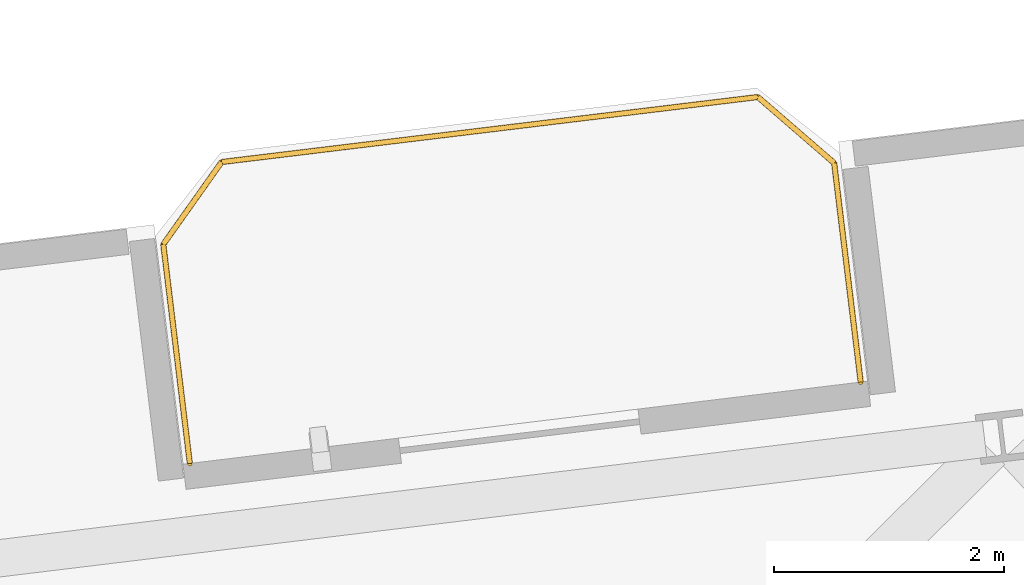
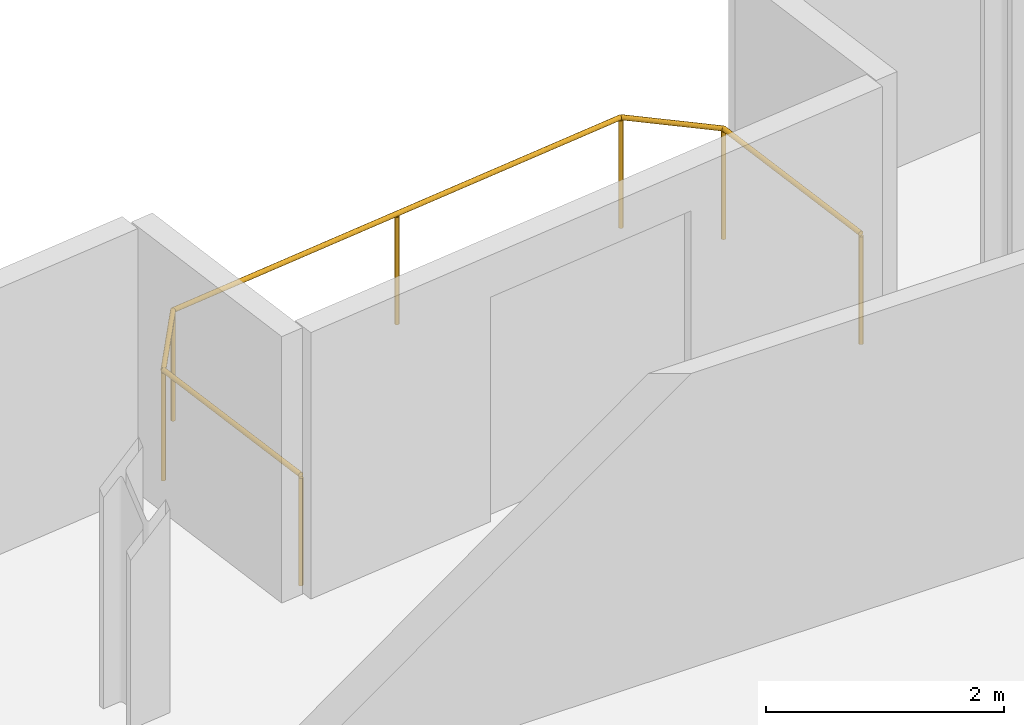
# One storey, part 23 of 23: 1 railing.
"""IFC4 building model written with IfcOpenShell, lengths in metres."""

from ifc_helpers import new_model, si_unit, direction, frame, origin, origin_2d, place, context, subcontext, project, spatial, circle, extrude, material, type_object, element, save


model = new_model("IFC4")

# Units and contexts
model_context = context("Model", 3, precision=1e-05, world=origin(), true_north=direction((0.0, 1.0)))
body_context = subcontext(model_context, "Body", "Model", "MODEL_VIEW")
ifc_project = project(units=[si_unit("LENGTHUNIT", "METRE"), si_unit("AREAUNIT", "SQUARE_METRE"), si_unit("VOLUMEUNIT", "CUBIC_METRE"), si_unit("PLANEANGLEUNIT", "RADIAN"), si_unit("MASSUNIT", "GRAM", prefix="KILO")], contexts=[model_context])

# Site, building, storey
site_placement = place(None, origin())
site = spatial("IfcSite", under=ifc_project, at=site_placement, CompositionType="ELEMENT")
building_placement = place(site_placement, origin())
building = spatial("IfcBuilding", under=site, at=building_placement, Name="Varnelok Gate Tower", CompositionType="ELEMENT")
storey_placement = place(building_placement, frame((0.0, 0.0, 189.39990234375)))
storey = spatial("IfcBuildingStorey", under=building, at=storey_placement, Name="L48", CompositionType="ELEMENT", Elevation=189.39990234375)

# Railing
ifc_material = material(Name="Low-E Laminated Double Glazing IGU", Category="glass")
railing_type = type_object("IfcRailingType", Name="RL-BALC-1150", PredefinedType="BALUSTRADE", material=ifc_material)
railing_placement = place(storey_placement, frame((48.19384765625, 46.335205078125, 0.0)))
element("IfcRailing", 1, at=railing_placement, inside=storey, type_object=railing_type, Name="L48 North Terrace Balustrade 6", PredefinedType="BALUSTRADE", context=body_context, shape_type="SweptSolid", body=[
    extrude(circle(Radius=0.02392578125, at=origin_2d()), frame((0.0, 0.0, 1.1259765625), z_axis=(-0.120293392036, 0.992738384386, 0.0), x_axis=(-0.992738384386, -0.120293392036, 0.0)), (0.0, 0.0, 1.0), 1.919921875),
    extrude(circle(Radius=0.02392578125, at=origin_2d()), frame((-0.23095703125, 1.906005859375, 1.1259765625), z_axis=(0.577971037086, 0.816057277579, 0.0), x_axis=(-0.816057277579, 0.577971037086, 0.0)), (0.0, 0.0, 1.0), 0.877685546875),
    extrude(circle(Radius=0.02392578125, at=origin_2d()), frame((0.2763671875, 2.622314453125, 1.1259765625), z_axis=(0.99273133746, 0.120351533534, 0.0), x_axis=(-0.120351533534, 0.99273133746, 0.0)), (0.0, 0.0, 1.0), 4.7001953125),
    extrude(circle(Radius=0.02392578125, at=origin_2d()), frame((4.9423828125, 3.18798828125, 1.1259765625), z_axis=(0.756303655992, -0.654220742513, 0.0), x_axis=(0.654220742513, 0.756303655992, 0.0)), (0.0, 0.0, 1.0), 0.877685546875),
    extrude(circle(Radius=0.02392578125, at=origin_2d()), frame((5.606201171875, 2.61376953125, 1.1259765625), z_axis=(0.120293392036, -0.992738384386, 0.0), x_axis=(0.992738384386, 0.120293392036, 0.0)), (0.0, 0.0, 1.0), 1.919921875),
    extrude(circle(Radius=0.02099609375, at=origin_2d()), origin(), (0.0, 0.0, 1.0), 1.101806640625),
    extrude(circle(Radius=0.02099609375, at=origin_2d()), frame((-0.23095703125, 1.906005859375, 0.0)), (0.0, 0.0, 1.0), 1.101806640625),
    extrude(circle(Radius=0.02099609375, at=origin_2d()), frame((0.2763671875, 2.622314453125, 0.0)), (0.0, 0.0, 1.0), 1.101806640625),
    extrude(circle(Radius=0.02099609375, at=origin_2d()), frame((2.609375, 2.9052734375, 0.0)), (0.0, 0.0, 1.0), 1.101806640625),
    extrude(circle(Radius=0.02099609375, at=origin_2d()), frame((4.9423828125, 3.18798828125, 0.0)), (0.0, 0.0, 1.0), 1.101806640625),
    extrude(circle(Radius=0.02099609375, at=origin_2d()), frame((5.606201171875, 2.61376953125, 0.0)), (0.0, 0.0, 1.0), 1.101806640625),
    extrude(circle(Radius=0.02099609375, at=origin_2d()), frame((5.837158203125, 0.707763671875, 0.0)), (0.0, 0.0, 1.0), 1.101806640625),
])

save(model, "model.ifc")
